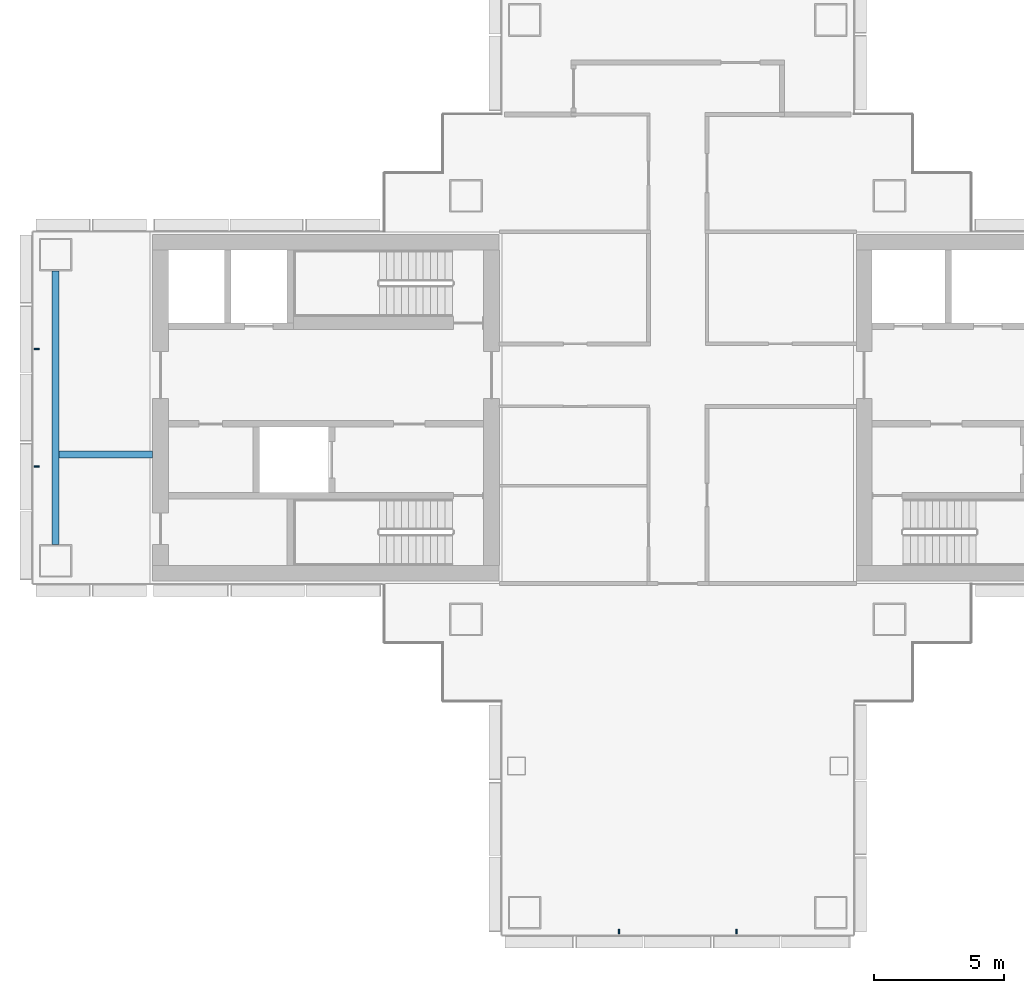
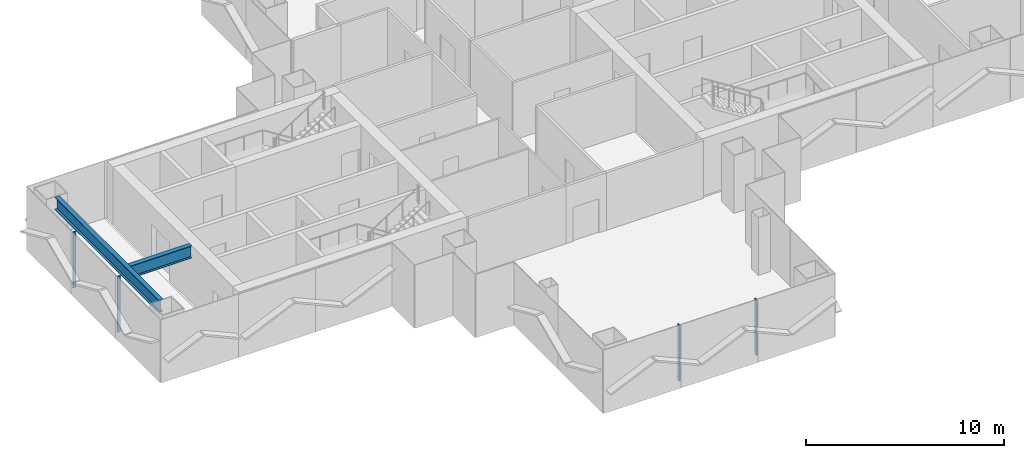
# One storey, part 3 of 19: 4 members, 2 beams, 2 elements without a shape of their own.
"""IFC4 building model written with IfcOpenShell, lengths in metres."""

from ifc_helpers import new_model, si_unit, direction, frame, origin, origin_2d, place, context, subcontext, project, spatial, rectangle, i_section, extrude, material, layer, layer_set, material_profile, profile_set, type_object, element, aggregate, save


model = new_model("IFC4")

# Units and contexts
model_context = context("Model", 3, precision=1e-05, world=origin(), true_north=direction((0.0, 1.0)))
body_context = subcontext(model_context, "Body", "Model", "MODEL_VIEW")
ifc_project = project(units=[si_unit("LENGTHUNIT", "METRE"), si_unit("AREAUNIT", "SQUARE_METRE"), si_unit("VOLUMEUNIT", "CUBIC_METRE"), si_unit("PLANEANGLEUNIT", "RADIAN"), si_unit("MASSUNIT", "GRAM", prefix="KILO")], contexts=[model_context])

# Site, building, storey
site_placement = place(None, origin())
site = spatial("IfcSite", under=ifc_project, at=site_placement, CompositionType="ELEMENT")
building_placement = place(site_placement, origin())
building = spatial("IfcBuilding", under=site, at=building_placement, Name="Shamsa Quay Exchange Towers", CompositionType="ELEMENT")
storey_placement = place(building_placement, frame((0.0, 0.0, 93.60009765625)))
storey = spatial("IfcBuildingStorey", under=building, at=storey_placement, Name="L21", CompositionType="ELEMENT", Elevation=93.60009765625)

# Curtain wall, members
ifc_material_1 = material(Name="Aluminium EN AW-6063 T6, black anodised", Category="aluminium")
ifc_layer = layer(ifc_material_1, 0.280029296875)
ifc_layer_set = layer_set([ifc_layer], Name="CW-1 UNITISED VISION GLASS")
curtain_wall_type = type_object("IfcCurtainWallType", Name="CW-1 UNITISED VISION GLASS", PredefinedType="NOTDEFINED", material=ifc_layer_set)
curtain_wall_1_placement = place(storey_placement, origin())
curtain_wall_1 = element("IfcCurtainWall", 1, at=curtain_wall_1_placement, inside=storey, type_object=curtain_wall_type, Name="CW1 T1-END-V- L21", PredefinedType="NOTDEFINED")
ifc_material_profile_1 = material_profile(ifc_material_1, rectangle(XDim=0.179931640625, YDim=0.06005859375, at=origin_2d()), Name="MU60x180")
ifc_profile_set_1 = profile_set([ifc_material_profile_1], Name="Aluminium EN AW-6063 T6, black anodised")
member_type = type_object("IfcMemberType", Name="CW1 MULLION 60x180", PredefinedType="MULLION", material=ifc_profile_set_1)
member_1_placement = place(storey_placement, frame((-36.0, -20.10009765625, 0.0), z_axis=(0.0, 0.0, 1.0), x_axis=(0.0, 1.0, 0.0)))
member_1 = element("IfcMember", 2, at=member_1_placement, type_object=member_type, Name="CW1 mullion", PredefinedType="MULLION", context=body_context, shape_type="SweptSolid", body=[
    extrude(rectangle(XDim=0.179931640625, YDim=0.06005859375, at=origin_2d()), origin(), (0.0, 0.0, 1.0), 3.449951171875),
])
member_2_placement = place(storey_placement, frame((-31.5, -20.10009765625, 0.0), z_axis=(0.0, 0.0, 1.0), x_axis=(0.0, 1.0, 0.0)))
member_2 = element("IfcMember", 3, at=member_2_placement, type_object=member_type, Name="CW1 mullion", PredefinedType="MULLION", context=body_context, shape_type="SweptSolid", body=[
    extrude(rectangle(XDim=0.179931640625, YDim=0.06005859375, at=origin_2d()), origin(), (0.0, 0.0, 1.0), 3.449951171875),
])
aggregate(curtain_wall_1, [member_1, member_2])

curtain_wall_2_placement = place(storey_placement, origin())
curtain_wall_2 = element("IfcCurtainWall", 4, at=curtain_wall_2_placement, inside=storey, type_object=curtain_wall_type, Name="CW1 T1-END-U- L21", PredefinedType="NOTDEFINED")
member_3_placement = place(storey_placement, frame((-58.35009765625, 2.25, 0.0)))
member_3 = element("IfcMember", 5, at=member_3_placement, type_object=member_type, Name="CW1 mullion", PredefinedType="MULLION", context=body_context, shape_type="SweptSolid", body=[
    extrude(rectangle(XDim=0.179931640625, YDim=0.06005859375, at=origin_2d()), origin(), (0.0, 0.0, 1.0), 3.449951171875),
])
member_4_placement = place(storey_placement, frame((-58.35009765625, -2.25, 0.0)))
member_4 = element("IfcMember", 6, at=member_4_placement, type_object=member_type, Name="CW1 mullion", PredefinedType="MULLION", context=body_context, shape_type="SweptSolid", body=[
    extrude(rectangle(XDim=0.179931640625, YDim=0.06005859375, at=origin_2d()), origin(), (0.0, 0.0, 1.0), 3.449951171875),
])
aggregate(curtain_wall_2, [member_3, member_4])

# Beams
ifc_material_2 = material(Name="Steel S355", Category="steel")
ifc_material_profile_2 = material_profile(ifc_material_2, i_section(OverallWidth=0.26611328125, OverallDepth=0.7578125, WebThickness=0.013916015625, FlangeThickness=0.019287109375, at=origin_2d()), Name="W30x108")
ifc_profile_set_2 = profile_set([ifc_material_profile_2], Name="Steel S355")
beam_type = type_object("IfcBeamType", Name="End-zone beam W30x108", PredefinedType="BEAM", material=ifc_profile_set_2)
beam_1_placement = place(storey_placement, frame((-57.625, -5.25, 3.171142578125), z_axis=(0.0, 1.0, 0.0), x_axis=(-1.0, 0.0, 0.0)))
element("IfcBeam", 7, at=beam_1_placement, inside=storey, type_object=beam_type, Name="End beam T1 U- end zone L21", PredefinedType="BEAM", context=body_context, shape_type="SweptSolid", body=[
    extrude(i_section(OverallWidth=0.26611328125, OverallDepth=0.7578125, WebThickness=0.013916015625, FlangeThickness=0.019287109375, at=origin_2d()), origin(), (0.0, 0.0, 1.0), 10.5),
])
beam_2_placement = place(storey_placement, frame((-53.89990234375, -1.800048828125, 3.171142578125), z_axis=(-1.0, 0.0, 0.0), x_axis=(0.0, -1.0, 0.0)))
element("IfcBeam", 8, at=beam_2_placement, inside=storey, type_object=beam_type, Name="Spine beam T1 U- end zone L21", PredefinedType="BEAM", context=body_context, shape_type="SweptSolid", body=[
    extrude(i_section(OverallWidth=0.26611328125, OverallDepth=0.7578125, WebThickness=0.013916015625, FlangeThickness=0.019287109375, at=origin_2d()), origin(), (0.0, 0.0, 1.0), 3.592041015625),
])

save(model, "model.ifc")
